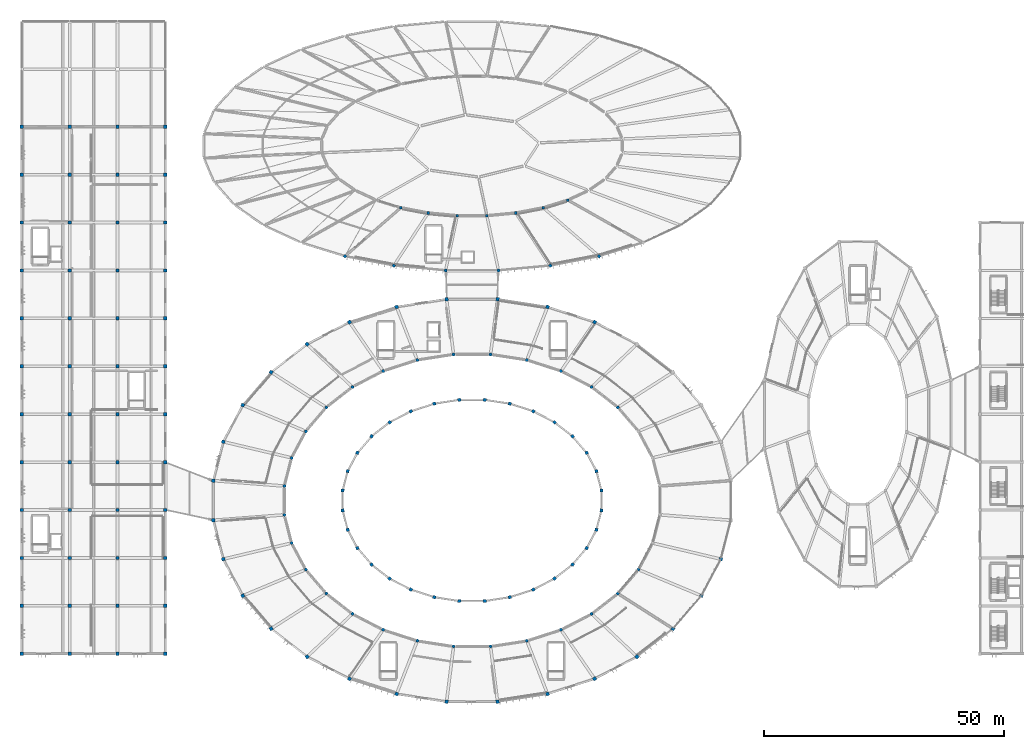
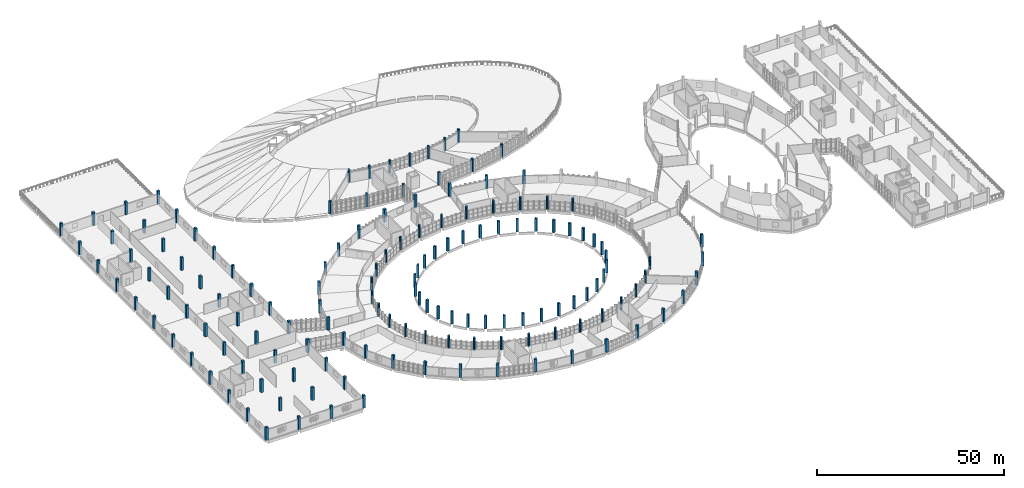
# One storey, part 1 of 142: 146 columns.
"""IFC4 building model written with IfcOpenShell, lengths in metres."""

from ifc_helpers import new_model, si_unit, direction, frame, origin, origin_2d, place, context, subcontext, project, spatial, rectangle, circle, extrude, material, material_profile, profile_set, type_object, element, save


model = new_model("IFC4")

# Units and contexts
model_context = context("Model", 3, precision=1e-05, world=origin(), true_north=direction((0.0, 1.0)))
body_context = subcontext(model_context, "Body", "Model", "MODEL_VIEW")
ifc_project = project(units=[si_unit("LENGTHUNIT", "METRE"), si_unit("AREAUNIT", "SQUARE_METRE"), si_unit("VOLUMEUNIT", "CUBIC_METRE"), si_unit("PLANEANGLEUNIT", "RADIAN"), si_unit("MASSUNIT", "GRAM", prefix="KILO")], contexts=[model_context])

# Site, building, storey
site_placement = place(None, origin())
site = spatial("IfcSite", under=ifc_project, at=site_placement, CompositionType="ELEMENT")
building_placement = place(site_placement, origin())
building = spatial("IfcBuilding", under=site, at=building_placement, Name="Corvandel Quay Wholesale Market", CompositionType="ELEMENT")
storey_placement = place(building_placement, frame((0.0, 0.0, 10.800048828125)))
storey = spatial("IfcBuildingStorey", under=building, at=storey_placement, Name="L02", CompositionType="ELEMENT", Elevation=10.800048828125)

# Columns
ifc_material = material(Name="Precast concrete C45/55", Category="concrete")
ifc_material_profile_1 = material_profile(ifc_material, circle(Radius=0.324951171875, at=origin_2d()), Name="PC-COL-D650")
ifc_profile_set_1 = profile_set([ifc_material_profile_1], Name="Precast concrete C45/55")
column_type_1 = type_object("IfcColumnType", Name="Circular Gallery Column C12 D650", PredefinedType="COLUMN", material=ifc_profile_set_1)
for number, where, z_axis, x_axis, name in (
    (1, (144.409912109375, 61.410888671875, 0.0), (0.0, 0.0, 1.0), (1.0, 0.0, 0.0), "Column COL-0036"),
    (2, (138.95703125, 65.652099609375, 0.0), (0.0, 0.0, 1.0), (1.0, 0.0, 0.0), "Column COL-0046"),
    (3, (132.5439453125, 68.98388671875, 0.0), (0.0, 0.0, 1.0), (1.0, 0.0, 0.0), "Column COL-0056"),
    (4, (125.419921875, 71.280029296875, 0.0), (0.0, 0.0, 1.0), (1.0, 0.0, 0.0), "Column COL-0066"),
    (5, (117.85595703125, 72.449951171875, 0.0), (0.0, 0.0, 1.0), (1.0, 0.0, 0.0), "Column COL-0076"),
    (6, (110.14404296875, 72.449951171875, 0.0), (0.0, 0.0, 1.0), (1.0, 0.0, 0.0), "Column COL-0086"),
    (7, (102.580078125, 71.280029296875, 0.0), (0.0, 0.0, 1.0), (1.0, 0.0, 0.0), "Column COL-0096"),
    (8, (95.4560546875, 68.98388671875, 0.0), (0.0, 0.0, 1.0), (1.0, 0.0, 0.0), "Column COL-0106"),
    (9, (89.04296875, 65.652099609375, 0.0), (0.0, 0.0, 1.0), (1.0, 0.0, 0.0), "Column COL-0116"),
    (10, (83.590087890625, 61.410888671875, 0.0), (0.0, 0.0, 1.0), (1.0, 0.0, 0.0), "Column COL-0126"),
    (11, (79.305908203125, 56.423095703125, 0.0), (0.0, 0.0, 1.0), (1.0, 0.0, 0.0), "Column COL-0136"),
    (12, (76.35498046875, 50.882080078125, 0.0), (0.0, 0.0, 1.0), (1.0, 0.0, 0.0), "Column COL-0146"),
    (13, (74.85009765625, 44.9990234375, 0.0), (0.0, 0.0, 1.0), (1.0, 0.0, 0.0), "Column COL-0156"),
    (14, (74.85009765625, 39.0009765625, 0.0), (0.0, 0.0, 1.0), (1.0, 0.0, 0.0), "Column COL-0166"),
    (15, (76.35498046875, 33.117919921875, 0.0), (0.0, 0.0, 1.0), (1.0, 0.0, 0.0), "Column COL-0176"),
    (16, (79.305908203125, 27.576904296875, 0.0), (0.0, 0.0, 1.0), (1.0, 0.0, 0.0), "Column COL-0186"),
    (17, (83.590087890625, 22.589111328125, 0.0), (0.0, 0.0, 1.0), (1.0, 0.0, 0.0), "Column COL-0196"),
    (18, (89.04296875, 18.347900390625, 0.0), (0.0, 0.0, 1.0), (1.0, 0.0, 0.0), "Column COL-0206"),
    (19, (95.4560546875, 15.01611328125, 0.0), (0.0, 0.0, 1.0), (1.0, 0.0, 0.0), "Column COL-0216"),
    (20, (102.580078125, 12.719970703125, 0.0), (0.0, 0.0, 1.0), (1.0, 0.0, 0.0), "Column COL-0226"),
    (21, (110.14404296875, 11.550048828125, 0.0), (0.0, 0.0, 1.0), (1.0, 0.0, 0.0), "Column COL-0236"),
    (22, (117.85595703125, 11.550048828125, 0.0), (0.0, 0.0, 1.0), (1.0, 0.0, 0.0), "Column COL-0246"),
    (23, (125.419921875, 12.719970703125, 0.0), (0.0, 0.0, 1.0), (1.0, 0.0, 0.0), "Column COL-0256"),
    (24, (132.5439453125, 15.01611328125, 0.0), (0.0, 0.0, 1.0), (1.0, 0.0, 0.0), "Column COL-0266"),
    (25, (138.95703125, 18.347900390625, 0.0), (0.0, 0.0, 1.0), (1.0, 0.0, 0.0), "Column COL-0276"),
    (26, (144.409912109375, 22.589111328125, 0.0), (0.0, 0.0, 1.0), (1.0, 0.0, 0.0), "Column COL-0286"),
    (27, (148.694091796875, 27.576904296875, 0.0), (0.0, 0.0, 1.0), (1.0, 0.0, 0.0), "Column COL-0296"),
):
    element("IfcColumn", number, at=place(storey_placement, frame(where, z_axis=z_axis, x_axis=x_axis)), inside=storey, type_object=column_type_1, Name=name, PredefinedType="COLUMN", context=body_context, shape_type="SweptSolid", body=[
        extrude(circle(Radius=0.324951171875, at=origin_2d()), origin(), (0.0, 0.0, 1.0), 4.199951171875),
    ])
ifc_material_profile_2 = material_profile(ifc_material, rectangle(XDim=0.699951171875, YDim=0.699951171875, at=origin_2d()), Name="PC-COL-700x700")
ifc_profile_set_2 = profile_set([ifc_material_profile_2], Name="Precast concrete C45/55")
column_type_2 = type_object("IfcColumnType", Name="Precast Column C04 700x700", PredefinedType="COLUMN", material=ifc_profile_set_2)
for number, where, z_axis, x_axis, name in (
    (28, (139.5791015625, 79.219970703125, 0.0), (0.0, 0.0, 1.0), (-0.824126188622, 0.566406236925, 0.0), "Column COL-0053"),
    (29, (129.7509765625, 82.385986328125, 0.0), (0.0, 0.0, 1.0), (-0.931627814096, 0.363413835735, 0.0), "Column COL-0063"),
    (30, (119.319091796875, 84.0, 0.0), (0.0, 0.0, 1.0), (-0.992070891321, 0.125679539283, 0.0), "Column COL-0073"),
    (31, (108.680908203125, 84.0, 0.0), (0.0, 0.0, 1.0), (0.992070891321, 0.125679539283, 0.0), "Column COL-0083"),
    (32, (98.2490234375, 82.385986328125, 0.0), (0.0, 0.0, 1.0), (0.931627814096, 0.363413835735, 0.0), "Column COL-0093"),
    (33, (88.4208984375, 79.219970703125, 0.0), (0.0, 0.0, 1.0), (0.824126188622, 0.566406236925, 0.0), "Column COL-0103"),
    (34, (79.576904296875, 74.6240234375, 0.0), (0.0, 0.0, 1.0), (0.687848001144, 0.725854756355, 0.0), "Column COL-0113"),
    (35, (72.054931640625, 68.77294921875, 0.0), (0.0, 0.0, 1.0), (0.538035401546, 0.842922242371, 0.0), "Column COL-0123"),
    (36, (66.14599609375, 61.89404296875, 0.0), (0.0, 0.0, 1.0), (0.383811878264, 0.923411307113, 0.0), "Column COL-0133"),
    (37, (62.074951171875, 54.2509765625, 0.0), (0.0, 0.0, 1.0), (0.229710019669, 0.973259115993, 0.0), "Column COL-0143"),
    (38, (60.0, 46.136962890625, 0.0), (0.0, 0.0, 1.0), (0.076370986393, 0.997079471475, 0.0), "Column COL-0153"),
    (39, (60.0, 37.863037109375, 0.0), (0.0, 0.0, 1.0), (-0.076370986393, 0.997079471475, 0.0), "Column COL-0163"),
    (40, (62.074951171875, 29.7490234375, 0.0), (0.0, 0.0, 1.0), (-0.229710019669, 0.973259115993, 0.0), "Column COL-0173"),
    (41, (66.14599609375, 22.10595703125, 0.0), (0.0, 0.0, 1.0), (-0.383811878264, 0.923411307113, 0.0), "Column COL-0183"),
    (42, (72.054931640625, 15.22705078125, 0.0), (0.0, 0.0, 1.0), (-0.538035401546, 0.842922242371, 0.0), "Column COL-0193"),
    (43, (79.576904296875, 9.3759765625, 0.0), (0.0, 0.0, 1.0), (-0.687848001144, 0.725854756355, 0.0), "Column COL-0203"),
    (44, (88.4208984375, 4.780029296875, 0.0), (0.0, 0.0, 1.0), (-0.824126188622, 0.566406236925, 0.0), "Column COL-0213"),
    (45, (98.2490234375, 1.614013671875, 0.0), (0.0, 0.0, 1.0), (-0.931627814096, 0.363413835735, 0.0), "Column COL-0223"),
    (46, (108.680908203125, 0.0, 0.0), (0.0, 0.0, 1.0), (-0.992070891321, 0.125679539283, 0.0), "Column COL-0233"),
    (47, (119.319091796875, 0.0, 0.0), (0.0, 0.0, 1.0), (0.992070891321, 0.125679539283, 0.0), "Column COL-0243"),
    (48, (129.7509765625, 1.614013671875, 0.0), (0.0, 0.0, 1.0), (0.931627814096, 0.363413835735, 0.0), "Column COL-0253"),
    (49, (139.5791015625, 4.780029296875, 0.0), (0.0, 0.0, 1.0), (0.824126188622, 0.566406236925, 0.0), "Column COL-0263"),
    (50, (148.423095703125, 9.3759765625, 0.0), (0.0, 0.0, 1.0), (0.687848001144, 0.725854756355, 0.0), "Column COL-0273"),
    (51, (155.945068359375, 15.22705078125, 0.0), (0.0, 0.0, 1.0), (0.538035401546, 0.842922242371, 0.0), "Column COL-0283"),
    (52, (161.85400390625, 22.10595703125, 0.0), (0.0, 0.0, 1.0), (0.383811878264, 0.923411307113, 0.0), "Column COL-0293"),
    (53, (165.925048828125, 29.7490234375, 0.0), (0.0, 0.0, 1.0), (0.229710019669, 0.973259115993, 0.0), "Column COL-0303"),
    (54, (20.0, 10.0, 0.0), (0.0, 0.0, 1.0), (1.0, 0.0, 0.0), "Column COL-0613"),
    (55, (20.0, 20.0, 0.0), (0.0, 0.0, 1.0), (1.0, 0.0, 0.0), "Column COL-0616"),
    (56, (20.0, 30.0, 0.0), (0.0, 0.0, 1.0), (1.0, 0.0, 0.0), "Column COL-0619"),
    (57, (20.0, 40.0, 0.0), (0.0, 0.0, 1.0), (1.0, 0.0, 0.0), "Column COL-0622"),
    (58, (20.0, 50.0, 0.0), (0.0, 0.0, 1.0), (1.0, 0.0, 0.0), "Column COL-0625"),
    (59, (20.0, 60.0, 0.0), (0.0, 0.0, 1.0), (1.0, 0.0, 0.0), "Column COL-0628"),
    (60, (20.0, 70.0, 0.0), (0.0, 0.0, 1.0), (1.0, 0.0, 0.0), "Column COL-0631"),
    (61, (20.0, 80.0, 0.0), (0.0, 0.0, 1.0), (1.0, 0.0, 0.0), "Column COL-0634"),
    (62, (20.0, 90.0, 0.0), (0.0, 0.0, 1.0), (1.0, 0.0, 0.0), "Column COL-0637"),
    (63, (20.0, 100.0, 0.0), (0.0, 0.0, 1.0), (1.0, 0.0, 0.0), "Column COL-0640"),
    (64, (20.0, 110.0, 0.0), (0.0, 0.0, 1.0), (1.0, 0.0, 0.0), "Column COL-0643"),
    (65, (20.0, 120.0, 0.0), (0.0, 0.0, 1.0), (1.0, 0.0, 0.0), "Column COL-0646"),
    (66, (30.0, 10.0, 0.0), (0.0, 0.0, 1.0), (1.0, 0.0, 0.0), "Column COL-0653"),
    (67, (30.0, 20.0, 0.0), (0.0, 0.0, 1.0), (1.0, 0.0, 0.0), "Column COL-0656"),
    (68, (30.0, 30.0, 0.0), (0.0, 0.0, 1.0), (1.0, 0.0, 0.0), "Column COL-0659"),
    (69, (30.0, 40.0, 0.0), (0.0, 0.0, 1.0), (1.0, 0.0, 0.0), "Column COL-0662"),
    (70, (30.0, 50.0, 0.0), (0.0, 0.0, 1.0), (1.0, 0.0, 0.0), "Column COL-0665"),
    (71, (30.0, 60.0, 0.0), (0.0, 0.0, 1.0), (1.0, 0.0, 0.0), "Column COL-0668"),
    (72, (30.0, 70.0, 0.0), (0.0, 0.0, 1.0), (1.0, 0.0, 0.0), "Column COL-0671"),
    (73, (30.0, 80.0, 0.0), (0.0, 0.0, 1.0), (1.0, 0.0, 0.0), "Column COL-0674"),
    (74, (30.0, 90.0, 0.0), (0.0, 0.0, 1.0), (1.0, 0.0, 0.0), "Column COL-0677"),
    (75, (30.0, 100.0, 0.0), (0.0, 0.0, 1.0), (1.0, 0.0, 0.0), "Column COL-0680"),
    (76, (30.0, 110.0, 0.0), (0.0, 0.0, 1.0), (1.0, 0.0, 0.0), "Column COL-0683"),
    (77, (30.0, 120.0, 0.0), (0.0, 0.0, 1.0), (1.0, 0.0, 0.0), "Column COL-0686"),
    (78, (40.0, 10.0, 0.0), (0.0, 0.0, 1.0), (1.0, 0.0, 0.0), "Column COL-0693"),
    (79, (40.0, 20.0, 0.0), (0.0, 0.0, 1.0), (1.0, 0.0, 0.0), "Column COL-0696"),
    (80, (40.0, 30.0, 0.0), (0.0, 0.0, 1.0), (1.0, 0.0, 0.0), "Column COL-0699"),
    (81, (40.0, 40.0, 0.0), (0.0, 0.0, 1.0), (1.0, 0.0, 0.0), "Column COL-0702"),
    (82, (40.0, 50.0, 0.0), (0.0, 0.0, 1.0), (1.0, 0.0, 0.0), "Column COL-0705"),
    (83, (40.0, 60.0, 0.0), (0.0, 0.0, 1.0), (1.0, 0.0, 0.0), "Column COL-0708"),
    (84, (40.0, 70.0, 0.0), (0.0, 0.0, 1.0), (1.0, 0.0, 0.0), "Column COL-0711"),
    (85, (40.0, 80.0, 0.0), (0.0, 0.0, 1.0), (1.0, 0.0, 0.0), "Column COL-0714"),
    (86, (40.0, 90.0, 0.0), (0.0, 0.0, 1.0), (1.0, 0.0, 0.0), "Column COL-0717"),
    (87, (40.0, 100.0, 0.0), (0.0, 0.0, 1.0), (1.0, 0.0, 0.0), "Column COL-0720"),
    (88, (40.0, 110.0, 0.0), (0.0, 0.0, 1.0), (1.0, 0.0, 0.0), "Column COL-0723"),
    (89, (40.0, 120.0, 0.0), (0.0, 0.0, 1.0), (1.0, 0.0, 0.0), "Column COL-0726"),
    (90, (50.0, 10.0, 0.0), (0.0, 0.0, 1.0), (1.0, 0.0, 0.0), "Column COL-0733"),
    (91, (50.0, 20.0, 0.0), (0.0, 0.0, 1.0), (1.0, 0.0, 0.0), "Column COL-0736"),
    (92, (50.0, 30.0, 0.0), (0.0, 0.0, 1.0), (1.0, 0.0, 0.0), "Column COL-0739"),
    (93, (50.0, 40.0, 0.0), (0.0, 0.0, 1.0), (1.0, 0.0, 0.0), "Column COL-0742"),
    (94, (50.0, 50.0, 0.0), (0.0, 0.0, 1.0), (1.0, 0.0, 0.0), "Column COL-0745"),
    (95, (50.0, 60.0, 0.0), (0.0, 0.0, 1.0), (1.0, 0.0, 0.0), "Column COL-0748"),
    (96, (50.0, 70.0, 0.0), (0.0, 0.0, 1.0), (1.0, 0.0, 0.0), "Column COL-0751"),
    (97, (50.0, 80.0, 0.0), (0.0, 0.0, 1.0), (1.0, 0.0, 0.0), "Column COL-0754"),
    (98, (50.0, 90.0, 0.0), (0.0, 0.0, 1.0), (1.0, 0.0, 0.0), "Column COL-0757"),
    (99, (50.0, 100.0, 0.0), (0.0, 0.0, 1.0), (1.0, 0.0, 0.0), "Column COL-0760"),
    (100, (50.0, 110.0, 0.0), (0.0, 0.0, 1.0), (1.0, 0.0, 0.0), "Column COL-0763"),
    (101, (50.0, 120.0, 0.0), (0.0, 0.0, 1.0), (1.0, 0.0, 0.0), "Column COL-0766"),
):
    element("IfcColumn", number, at=place(storey_placement, frame(where, z_axis=z_axis, x_axis=x_axis)), inside=storey, type_object=column_type_2, Name=name, PredefinedType="COLUMN", context=body_context, shape_type="SweptSolid", body=[
        extrude(rectangle(XDim=0.699951171875, YDim=0.699951171875, at=origin_2d()), origin(), (0.0, 0.0, 1.0), 4.199951171875),
    ])
ifc_material_profile_3 = material_profile(ifc_material, rectangle(XDim=0.64990234375, YDim=0.64990234375, at=origin_2d()), Name="PC-COL-650x650")
ifc_profile_set_3 = profile_set([ifc_material_profile_3], Name="Precast concrete C45/55")
column_type_3 = type_object("IfcColumnType", Name="Precast Column C05 650x650", PredefinedType="COLUMN", material=ifc_profile_set_3)
for number, where, z_axis, x_axis, name in (
    (102, (141.0, 44.068115234375, 0.0), (0.0, 0.0, 1.0), (-0.076370986393, 0.997079471475, 0.0), "Column COL-0010"),
    (103, (139.9619140625, 48.125, 0.0), (0.0, 0.0, 1.0), (-0.229710019669, 0.973259115993, 0.0), "Column COL-0020"),
    (104, (137.927001953125, 51.947021484375, 0.0), (0.0, 0.0, 1.0), (-0.383811878264, 0.923411307113, 0.0), "Column COL-0030"),
    (105, (134.971923828125, 55.386962890625, 0.0), (0.0, 0.0, 1.0), (-0.538035401546, 0.842922242371, 0.0), "Column COL-0040"),
    (106, (131.2109375, 58.31201171875, 0.0), (0.0, 0.0, 1.0), (-0.687848001144, 0.725854756355, 0.0), "Column COL-0050"),
    (107, (126.7890625, 60.610107421875, 0.0), (0.0, 0.0, 1.0), (-0.824126188622, 0.566406236925, 0.0), "Column COL-0060"),
    (108, (121.8759765625, 62.193115234375, 0.0), (0.0, 0.0, 1.0), (-0.931627814096, 0.363413835735, 0.0), "Column COL-0070"),
    (109, (116.658935546875, 63.0, 0.0), (0.0, 0.0, 1.0), (-0.992070891321, 0.125679539283, 0.0), "Column COL-0080"),
    (110, (111.341064453125, 63.0, 0.0), (0.0, 0.0, 1.0), (0.992070891321, 0.125679539283, 0.0), "Column COL-0090"),
    (111, (106.1240234375, 62.193115234375, 0.0), (0.0, 0.0, 1.0), (0.931627814096, 0.363413835735, 0.0), "Column COL-0100"),
    (112, (101.2109375, 60.610107421875, 0.0), (0.0, 0.0, 1.0), (0.824126188622, 0.566406236925, 0.0), "Column COL-0110"),
    (113, (96.7890625, 58.31201171875, 0.0), (0.0, 0.0, 1.0), (0.687848001144, 0.725854756355, 0.0), "Column COL-0120"),
    (114, (93.028076171875, 55.386962890625, 0.0), (0.0, 0.0, 1.0), (0.538035401546, 0.842922242371, 0.0), "Column COL-0130"),
    (115, (90.072998046875, 51.947021484375, 0.0), (0.0, 0.0, 1.0), (0.383811878264, 0.923411307113, 0.0), "Column COL-0140"),
    (116, (88.0380859375, 48.125, 0.0), (0.0, 0.0, 1.0), (0.229710019669, 0.973259115993, 0.0), "Column COL-0150"),
    (117, (87.0, 44.068115234375, 0.0), (0.0, 0.0, 1.0), (0.076370986393, 0.997079471475, 0.0), "Column COL-0160"),
    (118, (87.0, 39.931884765625, 0.0), (0.0, 0.0, 1.0), (-0.076370986393, 0.997079471475, 0.0), "Column COL-0170"),
    (119, (88.0380859375, 35.875, 0.0), (0.0, 0.0, 1.0), (-0.229710019669, 0.973259115993, 0.0), "Column COL-0180"),
    (120, (90.072998046875, 32.052978515625, 0.0), (0.0, 0.0, 1.0), (-0.383811878264, 0.923411307113, 0.0), "Column COL-0190"),
    (121, (93.028076171875, 28.613037109375, 0.0), (0.0, 0.0, 1.0), (-0.538035401546, 0.842922242371, 0.0), "Column COL-0200"),
    (122, (96.7890625, 25.68798828125, 0.0), (0.0, 0.0, 1.0), (-0.687848001144, 0.725854756355, 0.0), "Column COL-0210"),
    (123, (101.2109375, 23.389892578125, 0.0), (0.0, 0.0, 1.0), (-0.824126188622, 0.566406236925, 0.0), "Column COL-0220"),
    (124, (106.1240234375, 21.806884765625, 0.0), (0.0, 0.0, 1.0), (-0.931627814096, 0.363413835735, 0.0), "Column COL-0230"),
    (125, (111.341064453125, 21.0, 0.0), (0.0, 0.0, 1.0), (-0.992070891321, 0.125679539283, 0.0), "Column COL-0240"),
    (126, (116.658935546875, 21.0, 0.0), (0.0, 0.0, 1.0), (0.992070891321, 0.125679539283, 0.0), "Column COL-0250"),
    (127, (121.8759765625, 21.806884765625, 0.0), (0.0, 0.0, 1.0), (0.931627814096, 0.363413835735, 0.0), "Column COL-0260"),
    (128, (126.7890625, 23.389892578125, 0.0), (0.0, 0.0, 1.0), (0.824126188622, 0.566406236925, 0.0), "Column COL-0270"),
    (129, (131.2109375, 25.68798828125, 0.0), (0.0, 0.0, 1.0), (0.687848001144, 0.725854756355, 0.0), "Column COL-0280"),
    (130, (134.971923828125, 28.613037109375, 0.0), (0.0, 0.0, 1.0), (0.538035401546, 0.842922242371, 0.0), "Column COL-0290"),
    (131, (137.927001953125, 32.052978515625, 0.0), (0.0, 0.0, 1.0), (0.383811878264, 0.923411307113, 0.0), "Column COL-0300"),
    (132, (139.9619140625, 35.875, 0.0), (0.0, 0.0, 1.0), (0.229710019669, 0.973259115993, 0.0), "Column COL-0310"),
    (133, (141.0, 39.931884765625, 0.0), (0.0, 0.0, 1.0), (0.076370986393, 0.997079471475, 0.0), "Column COL-0320"),
):
    element("IfcColumn", number, at=place(storey_placement, frame(where, z_axis=z_axis, x_axis=x_axis)), inside=storey, type_object=column_type_3, Name=name, PredefinedType="COLUMN", context=body_context, shape_type="SweptSolid", body=[
        extrude(rectangle(XDim=0.64990234375, YDim=0.64990234375, at=origin_2d()), origin(), (0.0, 0.0, 1.0), 4.199951171875),
    ])
ifc_material_profile_4 = material_profile(ifc_material, rectangle(XDim=0.60009765625, YDim=0.60009765625, at=origin_2d()), Name="PC-COL-600x600")
ifc_profile_set_4 = profile_set([ifc_material_profile_4], Name="Precast concrete C45/55")
column_type_4 = type_object("IfcColumnType", Name="Precast Column C06 600x600", PredefinedType="COLUMN", material=ifc_profile_set_4)
for number, where, z_axis, x_axis, name in (
    (134, (87.47412109375, 92.958984375, 0.0), (0.0, 0.0, 1.0), (-0.655795545685, 0.754938542041, 0.0), "Column COL-0419"),
    (135, (97.6650390625, 90.9990234375, 0.0), (0.0, 0.0, 1.0), (-0.837146380758, 0.546978918409, 0.0), "Column COL-0425"),
    (136, (108.48388671875, 90.0, 0.0), (0.0, 0.0, 1.0), (-0.978220116011, 0.207570240234, 0.0), "Column COL-0431"),
    (137, (119.51611328125, 90.0, 0.0), (0.0, 0.0, 1.0), (0.978220116011, 0.207570240234, 0.0), "Column COL-0437"),
    (138, (130.3349609375, 90.9990234375, 0.0), (0.0, 0.0, 1.0), (0.837146380758, 0.546978918409, 0.0), "Column COL-0445"),
    (139, (140.52587890625, 92.958984375, 0.0), (0.0, 0.0, 1.0), (0.655795545685, 0.754938542041, 0.0), "Column COL-0451"),
):
    element("IfcColumn", number, at=place(storey_placement, frame(where, z_axis=z_axis, x_axis=x_axis)), inside=storey, type_object=column_type_4, Name=name, PredefinedType="COLUMN", context=body_context, shape_type="SweptSolid", body=[
        extrude(rectangle(XDim=0.60009765625, YDim=0.60009765625, at=origin_2d()), origin(), (0.0, 0.0, 1.0), 4.199951171875),
    ])
ifc_material_profile_5 = material_profile(ifc_material, rectangle(XDim=0.550048828125, YDim=0.550048828125, at=origin_2d()), Name="PC-COL-550x550")
ifc_profile_set_5 = profile_set([ifc_material_profile_5], Name="Precast concrete C45/55")
column_type_5 = type_object("IfcColumnType", Name="Precast Column C07 550x550", PredefinedType="COLUMN", material=ifc_profile_set_5)
for number, where, z_axis, x_axis, name in (
    (140, (99.14501953125, 103.096923828125, 0.0), (0.0, 0.0, 1.0), (1.0, 0.0, 0.0), "Column COL-0422"),
    (141, (104.85302734375, 102.0, 0.0), (0.0, 0.0, 1.0), (1.0, 0.0, 0.0), "Column COL-0428"),
    (142, (110.910888671875, 101.43994140625, 0.0), (0.0, 0.0, 1.0), (1.0, 0.0, 0.0), "Column COL-0434"),
    (143, (117.089111328125, 101.43994140625, 0.0), (0.0, 0.0, 1.0), (1.0, 0.0, 0.0), "Column COL-0440"),
    (144, (123.14697265625, 102.0, 0.0), (0.0, 0.0, 1.0), (1.0, 0.0, 0.0), "Column COL-0448"),
    (145, (128.85498046875, 103.096923828125, 0.0), (0.0, 0.0, 1.0), (1.0, 0.0, 0.0), "Column COL-0454"),
    (146, (133.990966796875, 104.69091796875, 0.0), (0.0, 0.0, 1.0), (1.0, 0.0, 0.0), "Column COL-0460"),
):
    element("IfcColumn", number, at=place(storey_placement, frame(where, z_axis=z_axis, x_axis=x_axis)), inside=storey, type_object=column_type_5, Name=name, PredefinedType="COLUMN", context=body_context, shape_type="SweptSolid", body=[
        extrude(rectangle(XDim=0.550048828125, YDim=0.550048828125, at=origin_2d()), origin(), (0.0, 0.0, 1.0), 4.199951171875),
    ])

save(model, "model.ifc")
